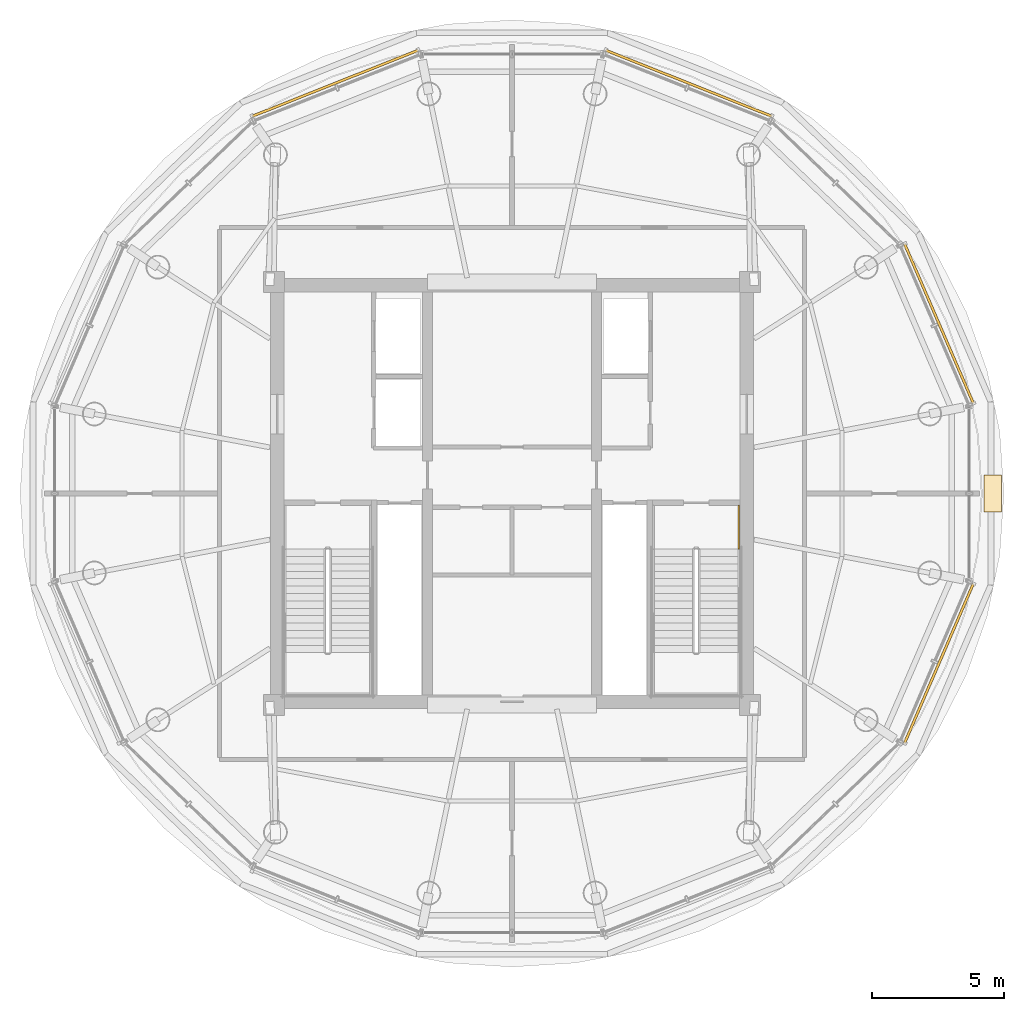
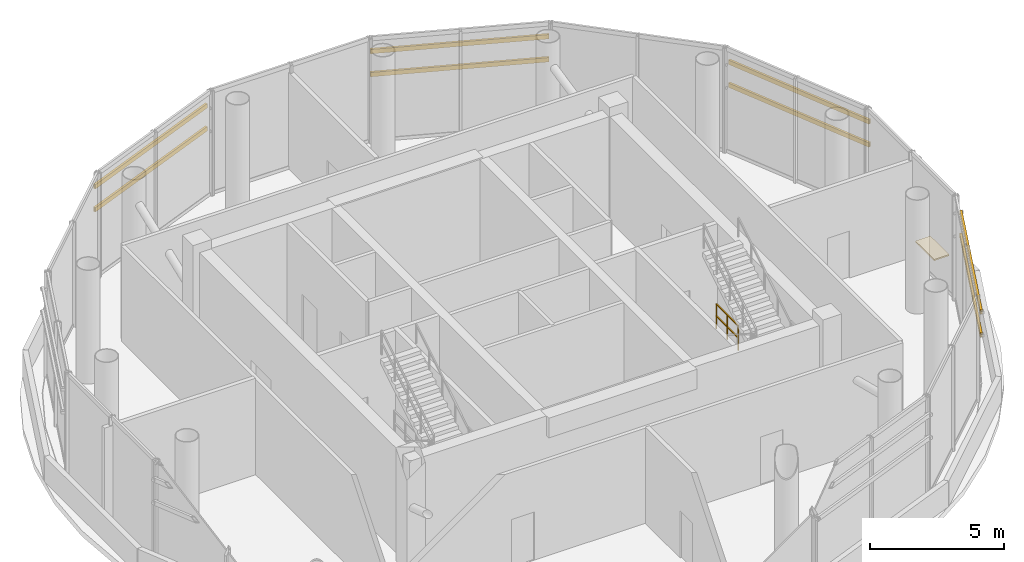
# One storey, part 15 of 15: 8 shading devices, 1 covering, 1 railing.
"""IFC4 building model written with IfcOpenShell, lengths in metres."""

from ifc_helpers import new_model, si_unit, direction, frame, origin, origin_2d, place, context, subcontext, project, spatial, rectangle, hollow_rectangle, extrude, source, transform, mapped, material, layer, layer_set, material_profile, profile_set, type_object, element, save


model = new_model("IFC4")

# Units and contexts
model_context = context("Model", 3, precision=1e-05, world=origin(), true_north=direction((-0.2419218956, 0.970295726276)))
body_context = subcontext(model_context, "Body", "Model", "MODEL_VIEW")
ifc_project = project(units=[si_unit("LENGTHUNIT", "METRE"), si_unit("AREAUNIT", "SQUARE_METRE"), si_unit("VOLUMEUNIT", "CUBIC_METRE"), si_unit("PLANEANGLEUNIT", "RADIAN"), si_unit("MASSUNIT", "GRAM", prefix="KILO")], contexts=[model_context])

# Site, building, storey
site_placement = place(None, origin())
site = spatial("IfcSite", under=ifc_project, at=site_placement, CompositionType="ELEMENT")
building_placement = place(site_placement, origin())
building = spatial("IfcBuilding", under=site, at=building_placement, Name="Cobrevalo Terracotta Tower", CompositionType="ELEMENT")
storey_placement = place(building_placement, frame((0.0, 0.0, 306.10009765625)))
storey = spatial("IfcBuildingStorey", under=building, at=storey_placement, Name="L80", CompositionType="ELEMENT", Elevation=306.10009765625)

# Railing
ifc_material_1 = material(Name="Painted galvanized steel", Category="steel")
railing_type = type_object("IfcRailingType", Name="Stair Well Guard Balustrade 1150", PredefinedType="GUARDRAIL", material=ifc_material_1)
railing_placement = place(storey_placement, frame((46.574951171875, 26.35009765625, 0.0)))
element("IfcRailing", 1, at=railing_placement, inside=storey, type_object=railing_type, Name="L80 ST-2 stair guard 9", PredefinedType="GUARDRAIL", context=body_context, shape_type="SweptSolid", body=[
    extrude(rectangle(XDim=0.048095703125, YDim=0.048095703125, at=origin_2d()), frame((0.0, 0.0, 1.1259765625), z_axis=(0.0, -1.0, 0.0), x_axis=(1.0, 0.0, 0.0)), (0.0, 0.0, 1.0), 1.650146484375),
    extrude(rectangle(XDim=0.048095703125, YDim=0.048095703125, at=origin_2d()), frame((0.0, 0.0, 0.574951171875), z_axis=(0.0, -1.0, 0.0), x_axis=(1.0, 0.0, 0.0)), (0.0, 0.0, 1.0), 1.650146484375),
    extrude(rectangle(XDim=0.0419921875, YDim=0.0419921875, at=origin_2d()), origin(), (0.0, 0.0, 1.0), 1.101806640625),
    extrude(rectangle(XDim=0.0419921875, YDim=0.0419921875, at=origin_2d()), frame((0.0, -0.8251953125, 0.0)), (0.0, 0.0, 1.0), 1.101806640625),
    extrude(rectangle(XDim=0.0419921875, YDim=0.0419921875, at=origin_2d()), frame((0.0, -1.650146484375, 0.0)), (0.0, 0.0, 1.0), 1.101806640625),
])

# Shading devices
ifc_material_2 = material(Name="Extruded fired architectural terracotta", Category="masonry")
ifc_material_profile = material_profile(ifc_material_2, hollow_rectangle(XDim=0.094970703125, YDim=0.199951171875, WallThickness=0.01611328125, at=origin_2d()), Name="BAGUETTE 95x200")
ifc_profile_set = profile_set([ifc_material_profile], Name="Extruded fired architectural terracotta")
shading_device_type = type_object("IfcShadingDeviceType", Name="Upper-Zone Terracotta Baguette Screen 95x200", PredefinedType="USERDEFINED", material=ifc_profile_set)
shared_shape_1 = source(origin(), body_context, "Body", "SweptSolid", [
    extrude(hollow_rectangle(XDim=0.094970703125, YDim=0.199951171875, WallThickness=0.01611328125, at=origin_2d()), origin(), (0.0, 0.0, 1.0), 6.566650390625),
])
for number, where, z_axis, x_axis, name in (
    (2, (55.440673828125, 30.2109375, 2.963623046875), (-0.396072057664, 0.91821943191, 0.0), (-0.91821943191, -0.396072057664, 0.0), "CW-CRN-L80-S01 horizontal terracotta baguette 1"),
    (3, (55.440673828125, 30.2109375, 4.01513671875), (-0.396072057664, 0.91821943191, 0.0), (-0.91821943191, -0.396072057664, 0.0), "CW-CRN-L80-S01 horizontal terracotta baguette 2"),
    (4, (52.83984375, 17.359619140625, 2.963623046875), (0.396072057664, 0.91821943191, 0.0), (-0.91821943191, 0.396072057664, 0.0), "CW-CRN-L80-S15 horizontal terracotta baguette 1"),
    (5, (52.83984375, 17.359619140625, 4.01513671875), (0.396072057664, 0.91821943191, 0.0), (-0.91821943191, 0.396072057664, 0.0), "CW-CRN-L80-S15 horizontal terracotta baguette 2"),
):
    element("IfcShadingDevice", number, at=place(storey_placement, frame(where, z_axis=z_axis, x_axis=x_axis)), inside=storey, type_object=shading_device_type, Name=name, ObjectType="BAGUETTE", PredefinedType="USERDEFINED", context=body_context, shape_type="MappedRepresentation", body=[
        mapped(shared_shape_1, transform((0.0, 0.0, 0.0), scale=1.0)),
    ])
shared_shape_2 = source(origin(), body_context, "Body", "SweptSolid", [
    extrude(hollow_rectangle(XDim=0.094970703125, YDim=0.199951171875, WallThickness=0.01611328125, at=origin_2d()), origin(), (0.0, 0.0, 1.0), 6.75927734375),
])
for number, where, z_axis, x_axis, name in (
    (6, (47.823974609375, 41.058837890625, 2.963623046875), (-0.92918987203, 0.369602734995, 0.0), (-0.369602734995, -0.92918987203, 0.0), "CW-CRN-L80-S03 horizontal terracotta baguette 1"),
    (7, (47.823974609375, 41.058837890625, 4.01513671875), (-0.92918987203, 0.369602734995, 0.0), (-0.369602734995, -0.92918987203, 0.0), "CW-CRN-L80-S03 horizontal terracotta baguette 2"),
    (8, (34.456787109375, 43.55712890625, 2.963623046875), (-0.92918987203, -0.369602734995, 0.0), (0.369602734995, -0.92918987203, 0.0), "CW-CRN-L80-S05 horizontal terracotta baguette 1"),
    (9, (34.456787109375, 43.55712890625, 4.01513671875), (-0.92918987203, -0.369602734995, 0.0), (0.369602734995, -0.92918987203, 0.0), "CW-CRN-L80-S05 horizontal terracotta baguette 2"),
):
    element("IfcShadingDevice", number, at=place(storey_placement, frame(where, z_axis=z_axis, x_axis=x_axis)), inside=storey, type_object=shading_device_type, Name=name, ObjectType="BAGUETTE", PredefinedType="USERDEFINED", context=body_context, shape_type="MappedRepresentation", body=[
        mapped(shared_shape_2, transform((0.0, 0.0, 0.0), scale=1.0)),
    ])

# Covering
ifc_material_3 = material(Name="Insulated TPO roof waterproofing membrane", Category="bitumen")
ifc_layer = layer(ifc_material_3, 0.06005859375)
ifc_layer_set = layer_set([ifc_layer], Name="Insulated TPO roof waterproofing membrane")
covering_type = type_object("IfcCoveringType", Name="Insulated UV-reflective waterproof roof membrane 60 mm", PredefinedType="ROOFING", material=ifc_layer_set)
shared_shape_3 = source(origin(), body_context, "Body", "SweptSolid", [
    extrude(rectangle(XDim=0.64990234375, YDim=1.39990234375, at=origin_2d()), origin(), (0.0, 0.0, 1.0), 0.06005859375),
])
covering_placement = place(storey_placement, frame((56.175048828125, 26.800048828125, -0.000244140625), z_axis=(0.0, 0.0, 1.0), x_axis=(1.0, 0.0, 0.0)))
element("IfcCovering", 10, at=covering_placement, inside=storey, type_object=covering_type, Name="L80 crown waterproof roof membrane", PredefinedType="ROOFING", context=body_context, shape_type="MappedRepresentation", body=[
    mapped(shared_shape_3, transform((0.0, 0.0, 0.0), scale=1.0)),
])

save(model, "model.ifc")
